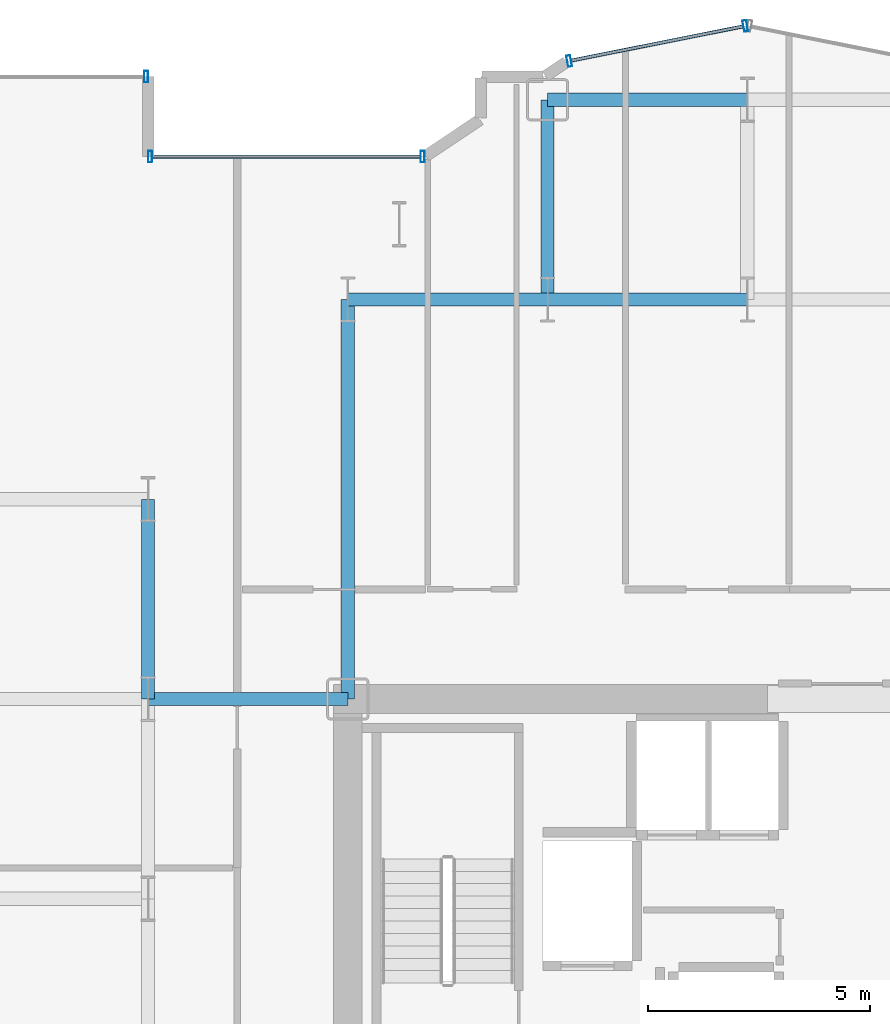
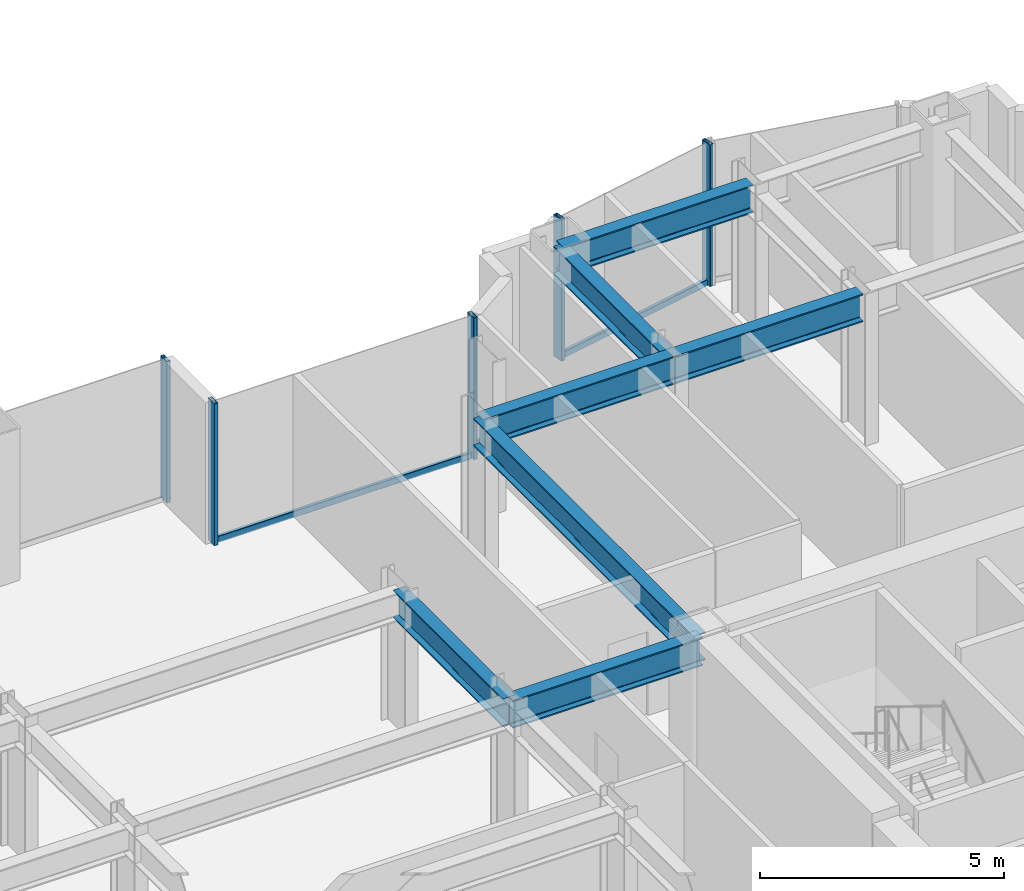
# One storey, part 10 of 26: 7 beams, 7 members, 3 elements without a shape of their own.
"""IFC4 building model written with IfcOpenShell, lengths in metres."""

from ifc_helpers import new_model, si_unit, direction, frame, origin, origin_2d, place, context, subcontext, project, spatial, hollow_rectangle, i_section, extrude, source, transform, mapped, material, layer, layer_set, material_profile, profile_set, type_object, element, aggregate, save


model = new_model("IFC4")

# Units and contexts
model_context = context("Model", 3, precision=1e-05, world=origin(), true_north=direction((0.0, 1.0)))
body_context = subcontext(model_context, "Body", "Model", "MODEL_VIEW")
ifc_project = project(units=[si_unit("LENGTHUNIT", "METRE"), si_unit("AREAUNIT", "SQUARE_METRE"), si_unit("VOLUMEUNIT", "CUBIC_METRE"), si_unit("PLANEANGLEUNIT", "RADIAN"), si_unit("MASSUNIT", "GRAM", prefix="KILO")], contexts=[model_context])

# Site, building, storey
site_placement = place(None, origin())
site = spatial("IfcSite", under=ifc_project, at=site_placement, CompositionType="ELEMENT")
building_placement = place(site_placement, origin())
building = spatial("IfcBuilding", under=site, at=building_placement, Name="Nefas-Gora Pilgrimage Tower", CompositionType="ELEMENT")
storey_placement = place(building_placement, frame((0.0, 0.0, 36.800048828125)))
storey = spatial("IfcBuildingStorey", under=building, at=storey_placement, Name="L07", CompositionType="ELEMENT", Elevation=36.800048828125)

# Beams
ifc_material_1 = material(Name="Steel S355", Category="steel")
ifc_material_profile_1 = material_profile(ifc_material_1, i_section(OverallWidth=0.300048828125, OverallDepth=0.699951171875, WebThickness=0.01708984375, FlangeThickness=0.031982421875, FilletRadius=0.027099609375, at=origin_2d()), Name="HEB 700")
ifc_profile_set_1 = profile_set([ifc_material_profile_1], Name="Steel S355")
beam_type = type_object("IfcBeamType", Name="BM-GIR-HEB700", PredefinedType="BEAM", material=ifc_profile_set_1)
shared_shape_1 = source(origin(), body_context, "Body", "SweptSolid", [
    extrude(i_section(OverallWidth=0.300048828125, OverallDepth=0.699951171875, WebThickness=0.01708984375, FlangeThickness=0.031982421875, FilletRadius=0.027099609375, at=origin_2d()), origin(), (0.0, 0.0, 1.0), 9.0),
])
beam_placement = place(storey_placement, frame((-11.25, 9.0, 3.199951171875), z_axis=(0.0, 1.0, 0.0), x_axis=(-1.0, 0.0, 0.0)))
element("IfcBeam", 1, at=beam_placement, inside=storey, type_object=beam_type, Name="L07 G-02 beam", PredefinedType="BEAM", context=body_context, shape_type="MappedRepresentation", body=[
    mapped(shared_shape_1, transform((0.0, 0.0, 0.0), x_axis=(1.0, 0.0, 0.0), y_axis=(0.0, 1.0, 0.0), z_axis=(0.0, 0.0, 1.0), scale=1.0)),
])
shared_shape_2 = source(origin(), body_context, "Body", "SweptSolid", [
    extrude(i_section(OverallWidth=0.300048828125, OverallDepth=0.699951171875, WebThickness=0.01708984375, FlangeThickness=0.031982421875, FilletRadius=0.027099609375, at=origin_2d()), origin(), (0.0, 0.0, 1.0), 4.5),
])
for number, where, z_axis, x_axis, name in (
    (2, (-15.75, 9.0, 3.199951171875), (0.0, 1.0, 0.0), (-1.0, 0.0, 0.0), "L07 G-02 beam"),
    (3, (-15.75, 9.0, 3.199951171875), (1.0, 0.0, 0.0), (0.0, 1.0, 0.0), "L07 G-02 beam"),
    (4, (-11.25, 18.0, 3.199951171875), (1.0, 0.0, 0.0), (0.0, 1.0, 0.0), "L07 G-02 beam"),
    (5, (-6.75, 18.0, 3.199951171875), (0.0, 1.0, 0.0), (-1.0, 0.0, 0.0), "L07 G-02 beam"),
    (6, (-6.75, 18.0, 3.199951171875), (1.0, 0.0, 0.0), (0.0, 1.0, 0.0), "L07 G-02 beam"),
    (7, (-6.75, 22.5, 3.199951171875), (1.0, 0.0, 0.0), (0.0, 1.0, 0.0), "L07 G-02 beam"),
):
    element("IfcBeam", number, at=place(storey_placement, frame(where, z_axis=z_axis, x_axis=x_axis)), inside=storey, type_object=beam_type, Name=name, PredefinedType="BEAM", context=body_context, shape_type="MappedRepresentation", body=[
        mapped(shared_shape_2, transform((0.0, 0.0, 0.0), x_axis=(1.0, 0.0, 0.0), y_axis=(0.0, 1.0, 0.0), z_axis=(0.0, 0.0, 1.0), scale=1.0)),
    ])

# Curtain wall, members
ifc_material_2 = material(Name="Dark ceramic-fritted solar-control aluminium-glass curtain wall", Category="aluminium")
ifc_layer_1 = layer(ifc_material_2, 0.219970703125)
ifc_layer_set_1 = layer_set([ifc_layer_1], Name="Dark ceramic-fritted solar-control aluminium-glass curtain wall")
curtain_wall_type_1 = type_object("IfcCurtainWallType", Name="CW-SYS-5", PredefinedType="NOTDEFINED", material=ifc_layer_set_1)
curtain_wall_1_placement = place(storey_placement, origin())
curtain_wall_1 = element("IfcCurtainWall", 8, at=curtain_wall_1_placement, inside=storey, type_object=curtain_wall_type_1, Name="L07 Unitised Curtain Wall CW5", PredefinedType="NOTDEFINED")
ifc_material_3 = material(Name="Anodised architectural aluminium", Category="aluminium")
ifc_material_profile_2 = material_profile(ifc_material_3, hollow_rectangle(XDim=0.090087890625, YDim=0.260009765625, WallThickness=0.006103515625, InnerFilletRadius=0.006103515625, OuterFilletRadius=0.011962890625, at=origin_2d()), Name="ALU MULLION 90x260")
ifc_profile_set_2 = profile_set([ifc_material_profile_2], Name="Anodised architectural aluminium")
member_type_1 = type_object("IfcMemberType", Name="CWM-MUL-5", PredefinedType="MULLION", material=ifc_profile_set_2)
shared_shape_3 = source(origin(), body_context, "Body", "SweptSolid", [
    extrude(hollow_rectangle(XDim=0.090087890625, YDim=0.260009765625, WallThickness=0.006103515625, InnerFilletRadius=0.006103515625, OuterFilletRadius=0.011962890625, at=origin_2d()), origin(), (0.0, 0.0, 1.0), 3.550048828125),
])
member_1_placement = place(storey_placement, frame((-2.294189453125, 24.16357421875, 0.0), z_axis=(0.0, 0.0, 1.0), x_axis=(-0.980782896852, -0.195102304554, 0.0)))
member_1 = element("IfcMember", 9, at=member_1_placement, type_object=member_type_1, Name="CW5 Mullion 1", PredefinedType="MULLION", context=body_context, shape_type="MappedRepresentation", body=[
    mapped(shared_shape_3, transform((0.0, 0.0, 0.0), x_axis=(1.0, 0.0, 0.0), y_axis=(0.0, 1.0, 0.0), z_axis=(0.0, 0.0, 1.0), scale=1.0)),
])
member_2_placement = place(storey_placement, frame((-6.26318359375, 23.3740234375, 0.0), z_axis=(0.0, 0.0, 1.0), x_axis=(-0.980782896852, -0.195102304554, 0.0)))
member_2 = element("IfcMember", 10, at=member_2_placement, type_object=member_type_1, Name="CW5 Mullion 2", PredefinedType="MULLION", context=body_context, shape_type="MappedRepresentation", body=[
    mapped(shared_shape_3, transform((0.0, 0.0, 0.0), x_axis=(1.0, 0.0, 0.0), y_axis=(0.0, 1.0, 0.0), z_axis=(0.0, 0.0, 1.0), scale=1.0)),
])

curtain_wall_2_placement = place(storey_placement, origin())
curtain_wall_2 = element("IfcCurtainWall", 11, at=curtain_wall_2_placement, inside=storey, type_object=curtain_wall_type_1, Name="L07 Unitised Curtain Wall CW5", PredefinedType="NOTDEFINED")
member_3_placement = place(storey_placement, frame((-9.56298828125, 21.219970703125, 0.0), z_axis=(0.0, 0.0, 1.0), x_axis=(-1.0, 0.0, 0.0)))
member_3 = element("IfcMember", 12, at=member_3_placement, type_object=member_type_1, Name="CW5 Mullion 1", PredefinedType="MULLION", context=body_context, shape_type="MappedRepresentation", body=[
    mapped(shared_shape_3, transform((0.0, 0.0, 0.0), x_axis=(1.0, 0.0, 0.0), y_axis=(0.0, 1.0, 0.0), z_axis=(0.0, 0.0, 1.0), scale=1.0)),
])
member_4_placement = place(storey_placement, frame((-15.705078125, 21.219970703125, 0.0), z_axis=(0.0, 0.0, 1.0), x_axis=(-1.0, 0.0, 0.0)))
member_4 = element("IfcMember", 13, at=member_4_placement, type_object=member_type_1, Name="CW5 Mullion 2", PredefinedType="MULLION", context=body_context, shape_type="MappedRepresentation", body=[
    mapped(shared_shape_3, transform((0.0, 0.0, 0.0), x_axis=(1.0, 0.0, 0.0), y_axis=(0.0, 1.0, 0.0), z_axis=(0.0, 0.0, 1.0), scale=1.0)),
])
ifc_material_profile_3 = material_profile(ifc_material_3, hollow_rectangle(XDim=0.080078125, YDim=0.159912109375, WallThickness=0.00439453125, InnerFilletRadius=0.00439453125, OuterFilletRadius=0.009033203125, at=origin_2d()), Name="ALU TRANSOM 80x160")
ifc_profile_set_3 = profile_set([ifc_material_profile_3], Name="Anodised architectural aluminium")
member_type_2 = type_object("IfcMemberType", Name="CWM-TRN-5", PredefinedType="USERDEFINED", material=ifc_profile_set_3)
shared_shape_4 = source(origin(), body_context, "Body", "SweptSolid", [
    extrude(hollow_rectangle(XDim=0.080078125, YDim=0.159912109375, WallThickness=0.00439453125, InnerFilletRadius=0.00439453125, OuterFilletRadius=0.009033203125, at=origin_2d()), origin(), (0.0, 0.0, 1.0), 6.052001953125),
])
member_5_placement = place(storey_placement, frame((-9.60791015625, 21.219970703125, 0.050048828125), z_axis=(-1.0, 0.0, 0.0), x_axis=(0.0, -1.0, 0.0)))
member_5 = element("IfcMember", 14, at=member_5_placement, type_object=member_type_2, Name="CW5 Spandrel Transom", ObjectType="TRANSOM", PredefinedType="USERDEFINED", context=body_context, shape_type="MappedRepresentation", body=[
    mapped(shared_shape_4, transform((0.0, 0.0, 0.0), x_axis=(1.0, 0.0, 0.0), y_axis=(0.0, 1.0, 0.0), z_axis=(0.0, 0.0, 1.0), scale=1.0)),
])
aggregate(curtain_wall_2, [member_3, member_4, member_5])

# Curtain wall, member
ifc_layer_2 = layer(ifc_material_2, 0.219970703125)
ifc_layer_set_2 = layer_set([ifc_layer_2], Name="Dark ceramic-fritted solar-control aluminium-glass curtain wall")
curtain_wall_type_2 = type_object("IfcCurtainWallType", Name="CW-SYS-2", PredefinedType="NOTDEFINED", material=ifc_layer_set_2)
curtain_wall_3_placement = place(storey_placement, origin())
curtain_wall_3 = element("IfcCurtainWall", 15, at=curtain_wall_3_placement, inside=storey, type_object=curtain_wall_type_2, Name="L07 Unitised Curtain Wall CW2", PredefinedType="NOTDEFINED")
ifc_material_profile_4 = material_profile(ifc_material_3, hollow_rectangle(XDim=0.090087890625, YDim=0.260009765625, WallThickness=0.006103515625, InnerFilletRadius=0.006103515625, OuterFilletRadius=0.011962890625, at=origin_2d()), Name="ALU MULLION 90x260")
ifc_profile_set_4 = profile_set([ifc_material_profile_4], Name="Anodised architectural aluminium")
member_type_3 = type_object("IfcMemberType", Name="CWM-MUL-2", PredefinedType="MULLION", material=ifc_profile_set_4)
shared_shape_5 = source(origin(), body_context, "Body", "SweptSolid", [
    extrude(hollow_rectangle(XDim=0.090087890625, YDim=0.260009765625, WallThickness=0.006103515625, InnerFilletRadius=0.006103515625, OuterFilletRadius=0.011962890625, at=origin_2d()), origin(), (0.0, 0.0, 1.0), 3.550048828125),
])
member_6_placement = place(storey_placement, frame((-15.794921875, 23.02001953125, 0.0), z_axis=(0.0, 0.0, 1.0), x_axis=(-1.0, 0.0, 0.0)))
member_6 = element("IfcMember", 16, at=member_6_placement, type_object=member_type_3, Name="CW2 Mullion 1", PredefinedType="MULLION", context=body_context, shape_type="MappedRepresentation", body=[
    mapped(shared_shape_5, transform((0.0, 0.0, 0.0), x_axis=(1.0, 0.0, 0.0), y_axis=(0.0, 1.0, 0.0), z_axis=(0.0, 0.0, 1.0), scale=1.0)),
])
aggregate(curtain_wall_3, [member_6])

# Member
shared_shape_6 = source(origin(), body_context, "Body", "SweptSolid", [
    extrude(hollow_rectangle(XDim=0.080078125, YDim=0.159912109375, WallThickness=0.00439453125, InnerFilletRadius=0.00439453125, OuterFilletRadius=0.009033203125, at=origin_2d()), origin(), (0.0, 0.0, 1.0), 3.95654296875),
])
member_7_placement = place(storey_placement, frame((-2.33837890625, 24.15478515625, 0.050048828125), z_axis=(-0.980781880918, -0.195107411605, 0.0), x_axis=(0.195107411605, -0.980781880918, 0.0)))
member_7 = element("IfcMember", 17, at=member_7_placement, type_object=member_type_2, Name="CW5 Spandrel Transom", ObjectType="TRANSOM", PredefinedType="USERDEFINED", context=body_context, shape_type="MappedRepresentation", body=[
    mapped(shared_shape_6, transform((0.0, 0.0, 0.0), x_axis=(1.0, 0.0, 0.0), y_axis=(0.0, 1.0, 0.0), z_axis=(0.0, 0.0, 1.0), scale=1.0)),
])

aggregate(curtain_wall_1, [member_1, member_2, member_7])

save(model, "model.ifc")
